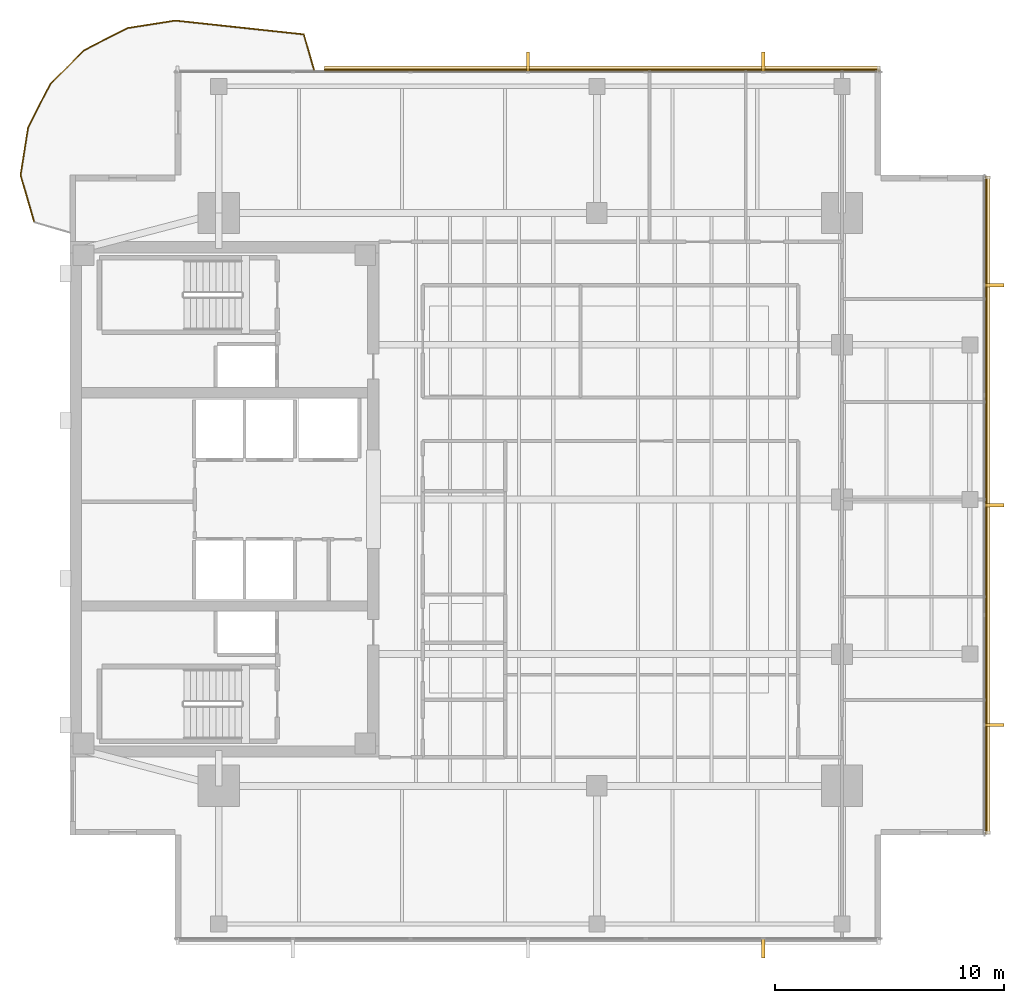
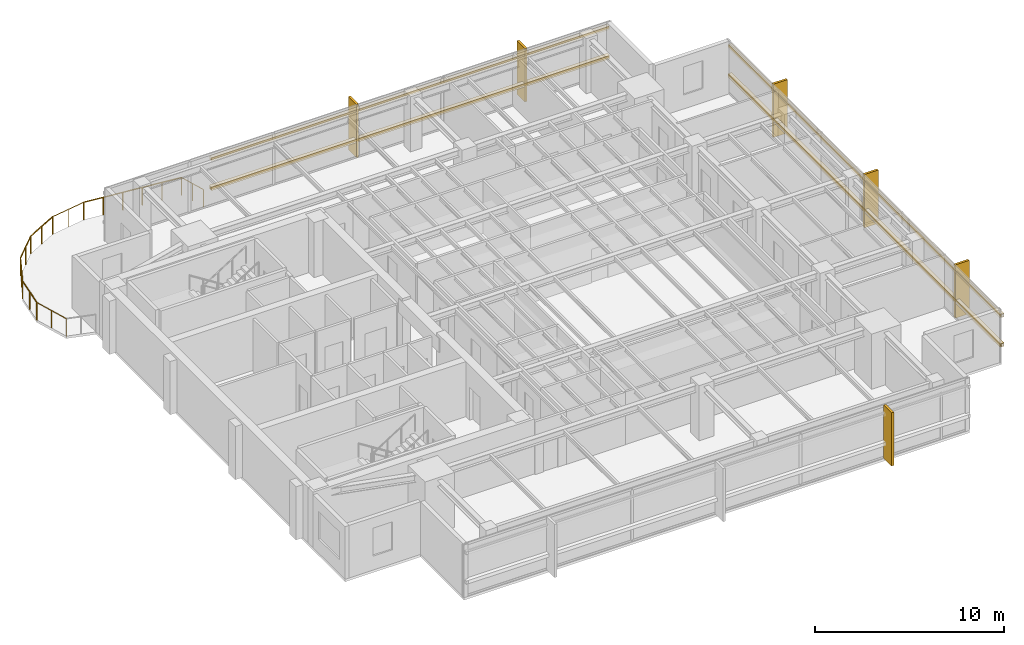
# One storey, part 13 of 13: 10 coverings, 8 railings, 4 shading devices.
"""IFC4 building model written with IfcOpenShell, lengths in metres."""

from ifc_helpers import new_model, si_unit, direction, frame, origin, origin_2d, place, context, subcontext, project, spatial, polyline, rectangle, circle, outline, extrude, material, layer, layer_set, material_profile, profile_set, type_object, element, save


model = new_model("IFC4")

# Units and contexts
model_context = context("Model", 3, precision=1e-05, world=origin(), true_north=direction((0.0, 1.0)))
body_context = subcontext(model_context, "Body", "Model", "MODEL_VIEW")
ifc_project = project(units=[si_unit("LENGTHUNIT", "METRE"), si_unit("AREAUNIT", "SQUARE_METRE"), si_unit("VOLUMEUNIT", "CUBIC_METRE"), si_unit("PLANEANGLEUNIT", "RADIAN"), si_unit("MASSUNIT", "GRAM", prefix="KILO")], contexts=[model_context])

# Site, building, storey
site_placement = place(None, origin())
site = spatial("IfcSite", under=ifc_project, at=site_placement, CompositionType="ELEMENT")
building_placement = place(site_placement, origin())
building = spatial("IfcBuilding", under=site, at=building_placement, Name="Kinhvarn Gate Tower", CompositionType="ELEMENT")
storey_placement = place(building_placement, frame((0.0, 0.0, 288.300048828125)))
storey = spatial("IfcBuildingStorey", under=building, at=storey_placement, Name="L77", CompositionType="ELEMENT", Elevation=288.300048828125)

# Coverings
ifc_material_1 = material(Name="Fired architectural terracotta", Category="masonry")
ifc_layer_1 = layer(ifc_material_1, 0.239990234375)
ifc_layer_set_1 = layer_set([ifc_layer_1], Name="Fired architectural terracotta")
covering_type_1 = type_object("IfcCoveringType", Name="COV-BAG-220", PredefinedType="CLADDING", material=ifc_layer_set_1)
covering_1_placement = place(storey_placement, frame((0.0, 0.0, 0.93994140625)))
element("IfcCovering", 1, at=covering_1_placement, inside=storey, type_object=covering_type_1, Name="Terracotta Horizontal Sunscreen Band TBG-220 (L77)", PredefinedType="CLADDING", context=body_context, shape_type="SweptSolid", body=[
    extrude(outline(polyline([(39.860107421875, 43.929931640625), (15.610107421875, 43.929931640625), (15.610107421875, 44.169921875), (39.860107421875, 44.169921875), (39.860107421875, 43.929931640625)])), origin(), (0.0, 0.0, 1.0), 0.219970703125),
])
covering_2_placement = place(storey_placement, frame((0.0, 0.0, 2.829833984375)))
element("IfcCovering", 2, at=covering_2_placement, inside=storey, type_object=covering_type_1, Name="Terracotta Horizontal Sunscreen Band TBG-220 (L77)", PredefinedType="CLADDING", context=body_context, shape_type="SweptSolid", body=[
    extrude(outline(polyline([(39.860107421875, 43.929931640625), (15.610107421875, 43.929931640625), (15.610107421875, 44.169921875), (39.860107421875, 44.169921875), (39.860107421875, 43.929931640625)])), origin(), (0.0, 0.0, 1.0), 0.22021484375),
])
covering_3_placement = place(storey_placement, frame((0.0, 0.0, 0.93994140625)))
element("IfcCovering", 3, at=covering_3_placement, inside=storey, type_object=covering_type_1, Name="Terracotta Horizontal Sunscreen Band TBG-220 (L77)", PredefinedType="CLADDING", context=body_context, shape_type="SweptSolid", body=[
    extrude(outline(polyline([(44.429931640625, 10.639892578125), (44.429931640625, 39.360107421875), (44.669921875, 39.360107421875), (44.669921875, 10.639892578125), (44.429931640625, 10.639892578125)])), origin(), (0.0, 0.0, 1.0), 0.219970703125),
])
covering_4_placement = place(storey_placement, frame((0.0, 0.0, 2.829833984375)))
element("IfcCovering", 4, at=covering_4_placement, inside=storey, type_object=covering_type_1, Name="Terracotta Horizontal Sunscreen Band TBG-220 (L77)", PredefinedType="CLADDING", context=body_context, shape_type="SweptSolid", body=[
    extrude(outline(polyline([(44.429931640625, 10.639892578125), (44.429931640625, 39.360107421875), (44.669921875, 39.360107421875), (44.669921875, 10.639892578125), (44.429931640625, 10.639892578125)])), origin(), (0.0, 0.0, 1.0), 0.22021484375),
])
ifc_layer_2 = layer(ifc_material_1, 0.139892578125)
ifc_layer_set_2 = layer_set([ifc_layer_2], Name="Fired architectural terracotta")
covering_type_2 = type_object("IfcCoveringType", Name="COV-FIN-850", PredefinedType="CLADDING", material=ifc_layer_set_2)
covering_5_placement = place(storey_placement, frame((0.0, 0.0, -0.02001953125)))
element("IfcCovering", 5, at=covering_5_placement, inside=storey, type_object=covering_type_2, Name="Vertical Terracotta Expressive Fin TFN-850 (L77)", PredefinedType="CLADDING", context=body_context, shape_type="SweptSolid", body=[
    extrude(outline(polyline([(34.69677734375, 6.080078125), (34.836669921875, 6.080078125), (34.836669921875, 5.22998046875), (34.69677734375, 5.22998046875), (34.69677734375, 6.080078125)])), origin(), (0.0, 0.0, 1.0), 3.429931640625),
])
covering_6_placement = place(storey_placement, frame((0.0, 0.0, -0.02001953125)))
element("IfcCovering", 6, at=covering_6_placement, inside=storey, type_object=covering_type_2, Name="Vertical Terracotta Expressive Fin TFN-850 (L77)", PredefinedType="CLADDING", context=body_context, shape_type="SweptSolid", body=[
    extrude(outline(polyline([(34.836669921875, 43.919921875), (34.69677734375, 43.919921875), (34.69677734375, 44.77001953125), (34.836669921875, 44.77001953125), (34.836669921875, 43.919921875)])), origin(), (0.0, 0.0, 1.0), 3.429931640625),
])
covering_7_placement = place(storey_placement, frame((0.0, 0.0, -0.02001953125)))
element("IfcCovering", 7, at=covering_7_placement, inside=storey, type_object=covering_type_2, Name="Vertical Terracotta Expressive Fin TFN-850 (L77)", PredefinedType="CLADDING", context=body_context, shape_type="SweptSolid", body=[
    extrude(outline(polyline([(24.570068359375, 43.919921875), (24.429931640625, 43.919921875), (24.429931640625, 44.77001953125), (24.570068359375, 44.77001953125), (24.570068359375, 43.919921875)])), origin(), (0.0, 0.0, 1.0), 3.429931640625),
])
covering_8_placement = place(storey_placement, frame((0.0, 0.0, -0.02001953125)))
element("IfcCovering", 8, at=covering_8_placement, inside=storey, type_object=covering_type_2, Name="Vertical Terracotta Expressive Fin TFN-850 (L77)", PredefinedType="CLADDING", context=body_context, shape_type="SweptSolid", body=[
    extrude(outline(polyline([(44.419921875, 15.330078125), (44.419921875, 15.469970703125), (45.27001953125, 15.469970703125), (45.27001953125, 15.330078125), (44.419921875, 15.330078125)])), origin(), (0.0, 0.0, 1.0), 3.429931640625),
])
covering_9_placement = place(storey_placement, frame((0.0, 0.0, -0.02001953125)))
element("IfcCovering", 9, at=covering_9_placement, inside=storey, type_object=covering_type_2, Name="Vertical Terracotta Expressive Fin TFN-850 (L77)", PredefinedType="CLADDING", context=body_context, shape_type="SweptSolid", body=[
    extrude(outline(polyline([(44.419921875, 24.929931640625), (44.419921875, 25.070068359375), (45.27001953125, 25.070068359375), (45.27001953125, 24.929931640625), (44.419921875, 24.929931640625)])), origin(), (0.0, 0.0, 1.0), 3.429931640625),
])
covering_10_placement = place(storey_placement, frame((0.0, 0.0, -0.02001953125)))
element("IfcCovering", 10, at=covering_10_placement, inside=storey, type_object=covering_type_2, Name="Vertical Terracotta Expressive Fin TFN-850 (L77)", PredefinedType="CLADDING", context=body_context, shape_type="SweptSolid", body=[
    extrude(outline(polyline([(44.419921875, 34.530029296875), (44.419921875, 34.669921875), (45.27001953125, 34.669921875), (45.27001953125, 34.530029296875), (44.419921875, 34.530029296875)])), origin(), (0.0, 0.0, 1.0), 3.429931640625),
])

# Railings
ifc_material_2 = material(Name="Clear low-e double glazing", Category="glass")
railing_type = type_object("IfcRailingType", Name="RL-BAL-1150", PredefinedType="BALUSTRADE", material=ifc_material_2)
railing_1_placement = place(storey_placement, frame((15.159912109375, 44.0, 0.0)))
element("IfcRailing", 11, at=railing_1_placement, inside=storey, type_object=railing_type, Name="S-Carve Balcony Guardrail Seg 1 (L77)", PredefinedType="BALUSTRADE", context=body_context, shape_type="SweptSolid", body=[
    extrude(circle(Radius=0.02392578125, at=origin_2d()), frame((0.0, 0.0, 1.1259765625), z_axis=(-0.279098523132, 0.960262471612, 0.0), x_axis=(-0.960262471612, -0.279098523132, 0.0)), (0.0, 0.0, 1.0), 1.612060546875),
    extrude(circle(Radius=0.02099609375, at=origin_2d()), origin(), (0.0, 0.0, 1.0), 1.101806640625),
    extrude(circle(Radius=0.02099609375, at=origin_2d()), frame((-0.22509765625, 0.77392578125, 0.0)), (0.0, 0.0, 1.0), 1.101806640625),
    extrude(circle(Radius=0.02099609375, at=origin_2d()), frame((-0.449951171875, 1.548095703125, 0.0)), (0.0, 0.0, 1.0), 1.101806640625),
])
railing_2_placement = place(storey_placement, frame((14.7099609375, 45.548095703125, 0.0)))
element("IfcRailing", 12, at=railing_2_placement, inside=storey, type_object=railing_type, Name="S-Carve Balcony Guardrail Seg 2 (L77)", PredefinedType="BALUSTRADE", context=body_context, shape_type="SweptSolid", body=[
    extrude(circle(Radius=0.02392578125, at=origin_2d()), frame((0.0, 0.0, 1.1259765625), z_axis=(-0.994295066958, 0.106664519978, 0.0), x_axis=(-0.106664519978, -0.994295066958, 0.0)), (0.0, 0.0, 1.0), 5.64208984375),
    extrude(circle(Radius=0.02099609375, at=origin_2d()), origin(), (0.0, 0.0, 1.0), 1.101806640625),
    extrude(circle(Radius=0.02099609375, at=origin_2d()), frame((-1.1220703125, 0.120361328125, 0.0)), (0.0, 0.0, 1.0), 1.101806640625),
    extrude(circle(Radius=0.02099609375, at=origin_2d()), frame((-2.243896484375, 0.24072265625, 0.0)), (0.0, 0.0, 1.0), 1.101806640625),
    extrude(circle(Radius=0.02099609375, at=origin_2d()), frame((-3.365966796875, 0.361083984375, 0.0)), (0.0, 0.0, 1.0), 1.101806640625),
    extrude(circle(Radius=0.02099609375, at=origin_2d()), frame((-4.48779296875, 0.4814453125, 0.0)), (0.0, 0.0, 1.0), 1.101806640625),
    extrude(circle(Radius=0.02099609375, at=origin_2d()), frame((-5.60986328125, 0.601806640625, 0.0)), (0.0, 0.0, 1.0), 1.101806640625),
])
railing_3_placement = place(storey_placement, frame((9.10009765625, 46.14990234375, 0.0)))
element("IfcRailing", 13, at=railing_3_placement, inside=storey, type_object=railing_type, Name="S-Carve Balcony Guardrail Seg 3 (L77)", PredefinedType="BALUSTRADE", context=body_context, shape_type="SweptSolid", body=[
    extrude(circle(Radius=0.02392578125, at=origin_2d()), frame((0.0, 0.0, 1.1259765625), z_axis=(-0.987692567255, -0.156407776626, 0.0), x_axis=(0.156407776626, -0.987692567255, 0.0)), (0.0, 0.0, 1.0), 2.11181640625),
    extrude(circle(Radius=0.02099609375, at=origin_2d()), origin(), (0.0, 0.0, 1.0), 1.101806640625),
    extrude(circle(Radius=0.02099609375, at=origin_2d()), frame((-1.04296875, -0.1650390625, 0.0)), (0.0, 0.0, 1.0), 1.101806640625),
    extrude(circle(Radius=0.02099609375, at=origin_2d()), frame((-2.0859375, -0.330322265625, 0.0)), (0.0, 0.0, 1.0), 1.101806640625),
])
railing_4_placement = place(storey_placement, frame((7.01416015625, 45.819580078125, 0.0)))
element("IfcRailing", 14, at=railing_4_placement, inside=storey, type_object=railing_type, Name="S-Carve Balcony Guardrail Seg 4 (L77)", PredefinedType="BALUSTRADE", context=body_context, shape_type="SweptSolid", body=[
    extrude(circle(Radius=0.02392578125, at=origin_2d()), frame((0.0, 0.0, 1.1259765625), z_axis=(-0.891026263856, -0.453951756378, 0.0), x_axis=(0.453951756378, -0.891026263856, 0.0)), (0.0, 0.0, 1.0), 2.112060546875),
    extrude(circle(Radius=0.02099609375, at=origin_2d()), origin(), (0.0, 0.0, 1.0), 1.101806640625),
    extrude(circle(Radius=0.02099609375, at=origin_2d()), frame((-0.94091796875, -0.4794921875, 0.0)), (0.0, 0.0, 1.0), 1.101806640625),
    extrude(circle(Radius=0.02099609375, at=origin_2d()), frame((-1.8818359375, -0.958740234375, 0.0)), (0.0, 0.0, 1.0), 1.101806640625),
])
railing_5_placement = place(storey_placement, frame((5.13232421875, 44.86083984375, 0.0)))
element("IfcRailing", 15, at=railing_5_placement, inside=storey, type_object=railing_type, Name="S-Carve Balcony Guardrail Seg 5 (L77)", PredefinedType="BALUSTRADE", context=body_context, shape_type="SweptSolid", body=[
    extrude(circle(Radius=0.02392578125, at=origin_2d()), frame((0.0, 0.0, 1.1259765625), z_axis=(-0.707106781187, -0.707106781187, 0.0), x_axis=(0.707106781187, -0.707106781187, 0.0)), (0.0, 0.0, 1.0), 2.111572265625),
    extrude(circle(Radius=0.02099609375, at=origin_2d()), origin(), (0.0, 0.0, 1.0), 1.101806640625),
    extrude(circle(Radius=0.02099609375, at=origin_2d()), frame((-0.74658203125, -0.74658203125, 0.0)), (0.0, 0.0, 1.0), 1.101806640625),
    extrude(circle(Radius=0.02099609375, at=origin_2d()), frame((-1.4931640625, -1.4931640625, 0.0)), (0.0, 0.0, 1.0), 1.101806640625),
])
railing_6_placement = place(storey_placement, frame((3.63916015625, 43.36767578125, 0.0)))
element("IfcRailing", 16, at=railing_6_placement, inside=storey, type_object=railing_type, Name="S-Carve Balcony Guardrail Seg 6 (L77)", PredefinedType="BALUSTRADE", context=body_context, shape_type="SweptSolid", body=[
    extrude(circle(Radius=0.02392578125, at=origin_2d()), frame((0.0, 0.0, 1.1259765625), z_axis=(-0.453951756378, -0.891026263856, 0.0), x_axis=(0.891026263856, -0.453951756378, 0.0)), (0.0, 0.0, 1.0), 2.112060546875),
    extrude(circle(Radius=0.02099609375, at=origin_2d()), origin(), (0.0, 0.0, 1.0), 1.101806640625),
    extrude(circle(Radius=0.02099609375, at=origin_2d()), frame((-0.4794921875, -0.94091796875, 0.0)), (0.0, 0.0, 1.0), 1.101806640625),
    extrude(circle(Radius=0.02099609375, at=origin_2d()), frame((-0.958740234375, -1.8818359375, 0.0)), (0.0, 0.0, 1.0), 1.101806640625),
])
railing_7_placement = place(storey_placement, frame((2.680419921875, 41.48583984375, 0.0)))
element("IfcRailing", 17, at=railing_7_placement, inside=storey, type_object=railing_type, Name="S-Carve Balcony Guardrail Seg 7 (L77)", PredefinedType="BALUSTRADE", context=body_context, shape_type="SweptSolid", body=[
    extrude(circle(Radius=0.02392578125, at=origin_2d()), frame((0.0, 0.0, 1.1259765625), z_axis=(-0.156407776626, -0.987692567255, 0.0), x_axis=(0.987692567255, -0.156407776626, 0.0)), (0.0, 0.0, 1.0), 2.11181640625),
    extrude(circle(Radius=0.02099609375, at=origin_2d()), origin(), (0.0, 0.0, 1.0), 1.101806640625),
    extrude(circle(Radius=0.02099609375, at=origin_2d()), frame((-0.1650390625, -1.04296875, 0.0)), (0.0, 0.0, 1.0), 1.101806640625),
    extrude(circle(Radius=0.02099609375, at=origin_2d()), frame((-0.330322265625, -2.0859375, 0.0)), (0.0, 0.0, 1.0), 1.101806640625),
])
railing_8_placement = place(storey_placement, frame((2.35009765625, 39.39990234375, 0.0)))
element("IfcRailing", 18, at=railing_8_placement, inside=storey, type_object=railing_type, Name="S-Carve Balcony Guardrail Seg 8 (L77)", PredefinedType="BALUSTRADE", context=body_context, shape_type="SweptSolid", body=[
    extrude(circle(Radius=0.02392578125, at=origin_2d()), frame((0.0, 0.0, 1.1259765625), z_axis=(0.280563765369, -0.959835388784, 0.0), x_axis=(0.959835388784, 0.280563765369, 0.0)), (0.0, 0.0, 1.0), 2.14501953125),
    extrude(circle(Radius=0.02099609375, at=origin_2d()), origin(), (0.0, 0.0, 1.0), 1.101806640625),
    extrude(circle(Radius=0.02099609375, at=origin_2d()), frame((0.30078125, -1.029296875, 0.0)), (0.0, 0.0, 1.0), 1.101806640625),
    extrude(circle(Radius=0.02099609375, at=origin_2d()), frame((0.601806640625, -2.058837890625, 0.0)), (0.0, 0.0, 1.0), 1.101806640625),
])

# Shading devices
ifc_material_profile = material_profile(ifc_material_1, rectangle(XDim=0.050048828125, YDim=0.1201171875, at=origin_2d()), Name="TC 50x120")
ifc_profile_set = profile_set([ifc_material_profile], Name="Fired architectural terracotta")
shading_device_type = type_object("IfcShadingDeviceType", Name="SHD-BAG-140", PredefinedType="USERDEFINED", material=ifc_profile_set)
for number, where, z_axis, x_axis, name in (
    (19, (39.860107421875, 44.0, 1.050048828125), (-1.0, 0.0, 0.0), (0.0, -1.0, 0.0), "Upper Tower Terracotta Baguette Screen Rod 50x120 mm (L77)"),
    (20, (39.860107421875, 44.0, 2.93994140625), (-1.0, 0.0, 0.0), (0.0, -1.0, 0.0), "Upper Tower Terracotta Baguette Screen Rod 50x120 mm (L77)"),
):
    element("IfcShadingDevice", number, at=place(storey_placement, frame(where, z_axis=z_axis, x_axis=x_axis)), inside=storey, type_object=shading_device_type, Name=name, ObjectType="BAGUETTE", PredefinedType="USERDEFINED", context=body_context, shape_type="SweptSolid", body=[
        extrude(rectangle(XDim=0.050048828125, YDim=0.1201171875, at=origin_2d()), origin(), (0.0, 0.0, 1.0), 24.25),
    ])
for number, where, z_axis, x_axis, name in (
    (21, (44.5, 10.639892578125, 1.050048828125), (0.0, 1.0, 0.0), (-1.0, 0.0, 0.0), "Upper Tower Terracotta Baguette Screen Rod 50x120 mm (L77)"),
    (22, (44.5, 10.639892578125, 2.93994140625), (0.0, 1.0, 0.0), (-1.0, 0.0, 0.0), "Upper Tower Terracotta Baguette Screen Rod 50x120 mm (L77)"),
):
    element("IfcShadingDevice", number, at=place(storey_placement, frame(where, z_axis=z_axis, x_axis=x_axis)), inside=storey, type_object=shading_device_type, Name=name, ObjectType="BAGUETTE", PredefinedType="USERDEFINED", context=body_context, shape_type="SweptSolid", body=[
        extrude(rectangle(XDim=0.050048828125, YDim=0.1201171875, at=origin_2d()), origin(), (0.0, 0.0, 1.0), 28.72021484375),
    ])

save(model, "model.ifc")
